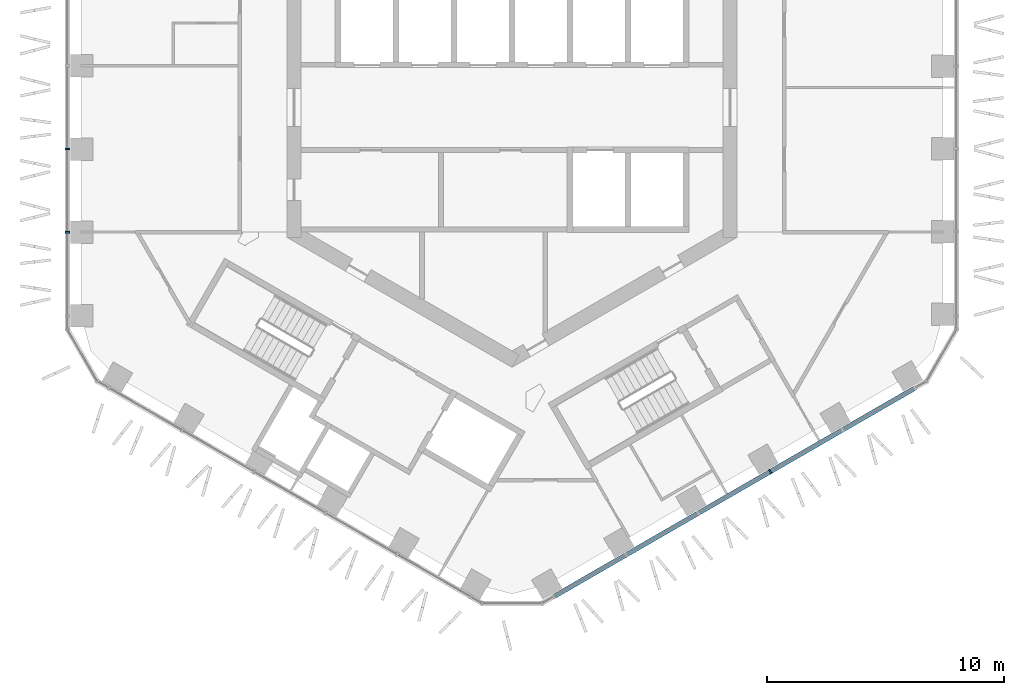
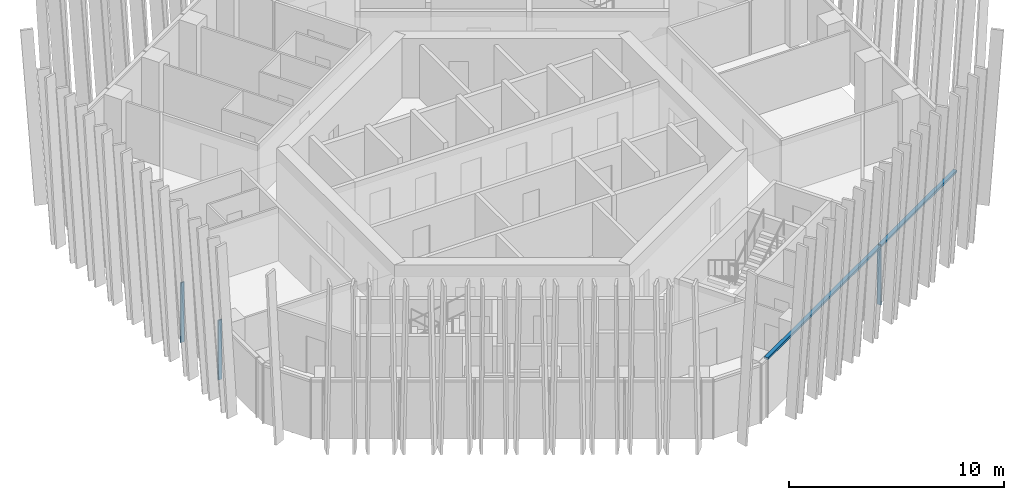
# One storey, part 3 of 21: 4 members, 2 elements without a shape of their own.
"""IFC4 building model written with IfcOpenShell, lengths in metres."""

from ifc_helpers import new_model, si_unit, direction, frame, origin, origin_2d, place, context, subcontext, project, spatial, rectangle, extrude, material, layer, layer_set, material_profile, profile_set, type_object, element, aggregate, save


model = new_model("IFC4")

# Units and contexts
model_context = context("Model", 3, precision=1e-05, world=origin(), true_north=direction((0.0, 1.0)))
body_context = subcontext(model_context, "Body", "Model", "MODEL_VIEW")
ifc_project = project(units=[si_unit("LENGTHUNIT", "METRE"), si_unit("AREAUNIT", "SQUARE_METRE"), si_unit("VOLUMEUNIT", "CUBIC_METRE"), si_unit("PLANEANGLEUNIT", "RADIAN"), si_unit("MASSUNIT", "GRAM", prefix="KILO")], contexts=[model_context])

# Site, building, storey
site_placement = place(None, origin())
site = spatial("IfcSite", under=ifc_project, at=site_placement, CompositionType="ELEMENT")
building_placement = place(site_placement, origin())
building = spatial("IfcBuilding", under=site, at=building_placement, Name="Ayvan Gate Tower", CompositionType="ELEMENT")
storey_placement = place(building_placement, frame((0.0, 0.0, 152.699951171875)))
storey = spatial("IfcBuildingStorey", under=building, at=storey_placement, Name="L40", CompositionType="ELEMENT", Elevation=152.699951171875)

# Curtain wall, members
ifc_material = material(Name="Bronze anodised aluminium", Category="aluminium")
ifc_layer = layer(ifc_material, 0.199951171875)
ifc_layer_set = layer_set([ifc_layer], Name="Bronze anodised aluminium")
curtain_wall_type = type_object("IfcCurtainWallType", Name="Stick curtain wall CW-2", PredefinedType="NOTDEFINED", material=ifc_layer_set)
curtain_wall_1_placement = place(storey_placement, origin())
curtain_wall_1 = element("IfcCurtainWall", 1, at=curtain_wall_1_placement, inside=storey, type_object=curtain_wall_type, Name="Stick curtain wall CW-2 L40", PredefinedType="NOTDEFINED")
ifc_material_profile_1 = material_profile(ifc_material, rectangle(XDim=0.199951171875, YDim=0.070068359375, at=origin_2d()), Name="Stick curtain wall CW-2 mullion 200 x 70")
ifc_profile_set_1 = profile_set([ifc_material_profile_1], Name="Bronze anodised aluminium")
member_type_1 = type_object("IfcMemberType", Name="Stick curtain wall CW-2 mullion 200 x 70", PredefinedType="MULLION", material=ifc_profile_set_1)
member_1_placement = place(storey_placement, frame((-18.761474609375, -1.75732421875, 0.0), z_axis=(0.0, 0.0, 1.0), x_axis=(-1.0, 0.0, 0.0)))
member_1 = element("IfcMember", 2, at=member_1_placement, type_object=member_type_1, Name="CW-2 mullion 4", PredefinedType="MULLION", context=body_context, shape_type="SweptSolid", body=[
    extrude(rectangle(XDim=0.199951171875, YDim=0.070068359375, at=origin_2d()), origin(), (0.0, 0.0, 1.0), 3.400146484375),
])
member_2_placement = place(storey_placement, frame((-18.761474609375, -5.271240234375, 0.0), z_axis=(0.0, 0.0, 1.0), x_axis=(-1.0, 0.0, 0.0)))
member_2 = element("IfcMember", 3, at=member_2_placement, type_object=member_type_1, Name="CW-2 mullion 5", PredefinedType="MULLION", context=body_context, shape_type="SweptSolid", body=[
    extrude(rectangle(XDim=0.199951171875, YDim=0.070068359375, at=origin_2d()), origin(), (0.0, 0.0, 1.0), 3.400146484375),
])
aggregate(curtain_wall_1, [member_1, member_2])

curtain_wall_2_placement = place(storey_placement, origin())
curtain_wall_2 = element("IfcCurtainWall", 4, at=curtain_wall_2_placement, inside=storey, type_object=curtain_wall_type, Name="Stick curtain wall CW-2 L40", PredefinedType="NOTDEFINED")
member_3_placement = place(storey_placement, frame((10.902587890625, -15.369384765625, 0.0), z_axis=(0.0, 0.0, 1.0), x_axis=(0.5, -0.866025403784, 0.0)))
member_3 = element("IfcMember", 5, at=member_3_placement, type_object=member_type_1, Name="CW-2 mullion 4", PredefinedType="MULLION", context=body_context, shape_type="SweptSolid", body=[
    extrude(rectangle(XDim=0.199951171875, YDim=0.070068359375, at=origin_2d()), origin(), (0.0, 0.0, 1.0), 3.400146484375),
])
ifc_material_profile_2 = material_profile(ifc_material, rectangle(XDim=0.199951171875, YDim=0.1201171875, at=origin_2d()), Name="Stick curtain wall CW-2 transom 200 x 120")
ifc_profile_set_2 = profile_set([ifc_material_profile_2], Name="Bronze anodised aluminium")
member_type_2 = type_object("IfcMemberType", Name="Stick curtain wall CW-2 transom 200 x 120", PredefinedType="USERDEFINED", material=ifc_profile_set_2)
member_4_placement = place(storey_placement, frame((1.752197265625, -20.65234375, 3.340087890625), z_axis=(0.866027506252, 0.499996358401, 0.0), x_axis=(-0.499996358401, 0.866027506252, 0.0)))
member_4 = element("IfcMember", 6, at=member_4_placement, type_object=member_type_2, Name="CW-2 transom 1", ObjectType="TRANSOM", PredefinedType="USERDEFINED", context=body_context, shape_type="SweptSolid", body=[
    extrude(rectangle(XDim=0.199951171875, YDim=0.1201171875, at=origin_2d()), origin(), (0.0, 0.0, 1.0), 17.617431640625),
])
aggregate(curtain_wall_2, [member_3, member_4])

save(model, "model.ifc")
